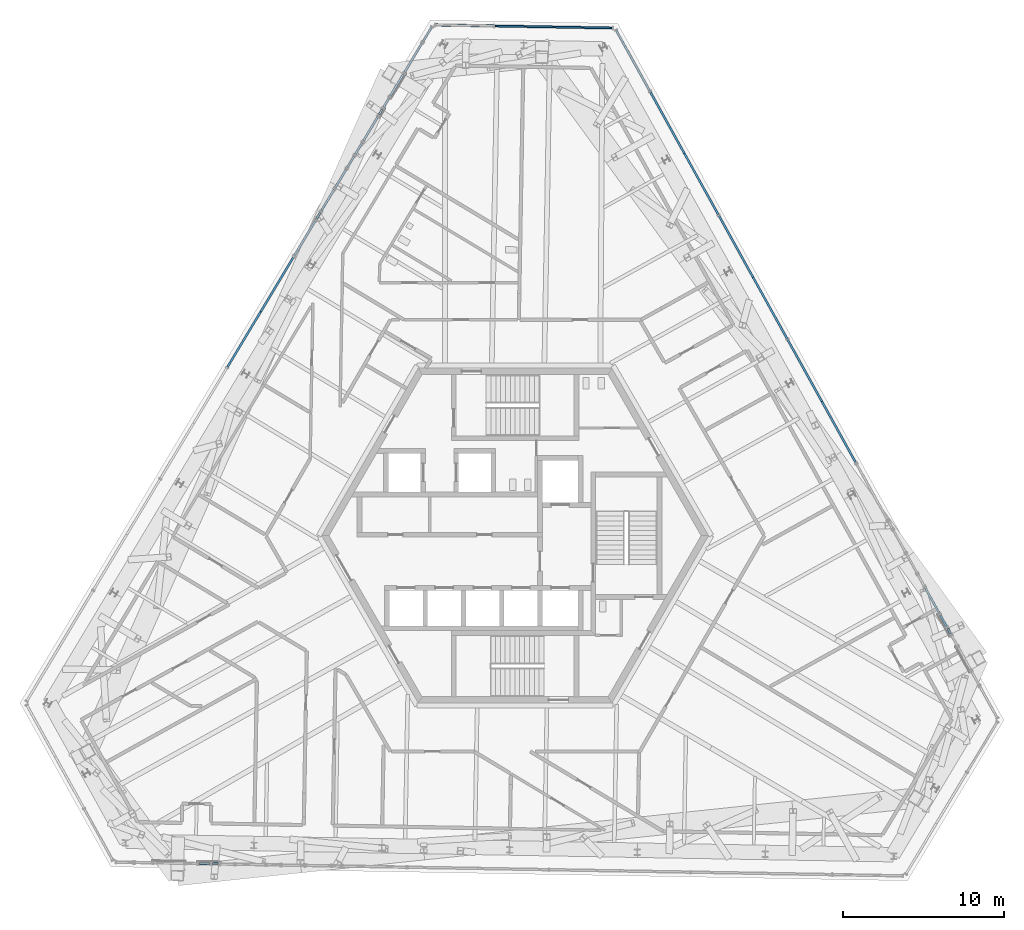
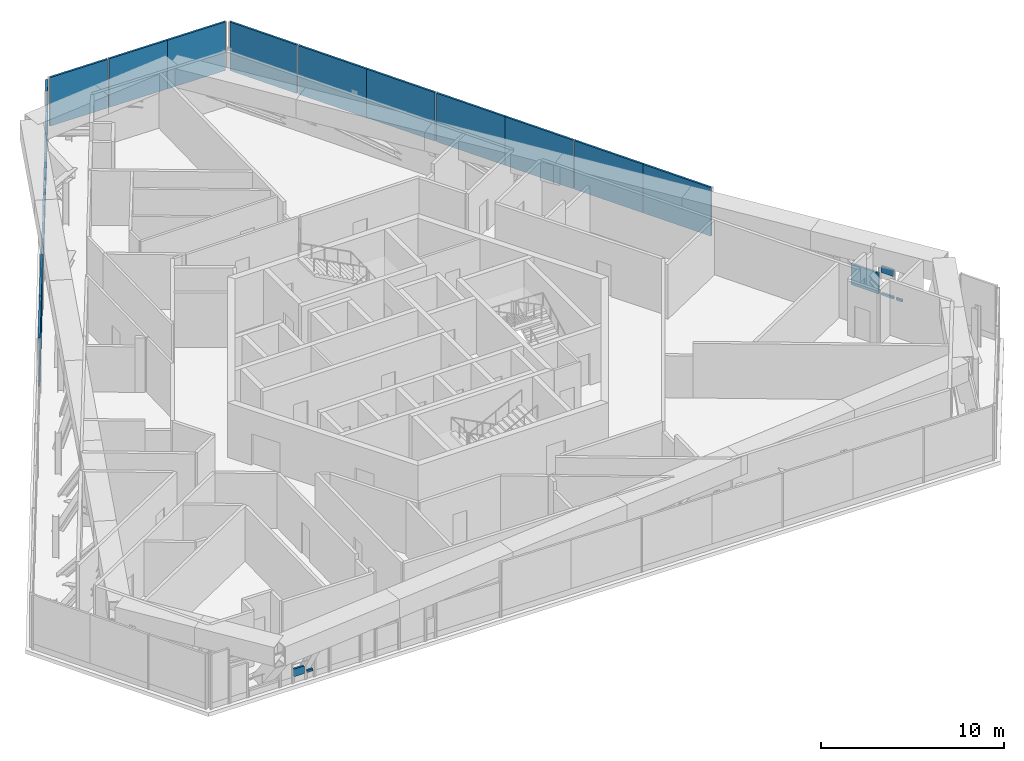
# One storey, part 14 of 28: 30 plates, 21 elements without a shape of their own.
"""IFC4 building model written with IfcOpenShell, lengths in metres."""

import ifcopenshell
import ifcopenshell.guid

model = None  # the IFC model being written
_history = None  # IfcOwnerHistory: only IFC2X3 demands one
_inside = {}  # id of a spatial element -> (the spatial element, [elements in it])
_under = {}  # id of a project, library or spatial element -> (it, [spatial elements below it])
_declared = {}  # id of a project -> (the project, [libraries it declares])
_typed = {}  # id of a type object -> (the type object, [elements of that type])
_made_of = {}  # id of a material, layer set ... -> (it, [elements and type objects made of it])


def new_model(schema):
    """Start an empty IFC model of exactly this schema.

    Asked for "IFC4X3", IfcOpenShell would pick the latest addendum, in which some entities
    have other attributes; the version numbers below select the first issue.
    IFC2X3 requires an IfcOwnerHistory on every rooted entity: one is made here for all.
    """
    global model, _history
    if schema == "IFC4X3":
        model = ifcopenshell.file(schema_version=(4, 3, 0, 0))
    else:
        model = ifcopenshell.file(schema=schema)
    _inside.clear()
    _under.clear()
    _declared.clear()
    _typed.clear()
    _made_of.clear()
    _history = None
    if model.schema == "IFC2X3":
        org = make("IfcOrganization", Name="unknown")
        user = make(
            "IfcPersonAndOrganization",
            ThePerson=make("IfcPerson", FamilyName="unknown"),
            TheOrganization=org,
        )
        app = make(
            "IfcApplication",
            ApplicationDeveloper=org,
            Version="unknown",
            ApplicationFullName="unknown",
            ApplicationIdentifier="unknown",
        )
        _history = make(
            "IfcOwnerHistory",
            OwningUser=user,
            OwningApplication=app,
            ChangeAction="ADDED",
            CreationDate=0,
        )
    return model


def make(cls, **values):
    """One entity of the class cls with the attributes given. An attribute that is None is left unset."""
    return model.create_entity(
        cls, **{name: value for name, value in values.items() if value is not None}
    )


def rooted(cls, **values):
    """An entity with a GlobalId (a new one), such as an element, a storey or a relation."""
    return make(cls, GlobalId=ifcopenshell.guid.new(), OwnerHistory=_history, **values)


def si_unit(unit_type, name, prefix=None):
    """IfcSIUnit, for example si_unit("LENGTHUNIT", "METRE", prefix="MILLI")."""
    return make("IfcSIUnit", UnitType=unit_type, Prefix=prefix, Name=name)


def assignment(units):
    """IfcUnitAssignment: the units of a project."""
    return None if units is None else make("IfcUnitAssignment", Units=units)


def point(xyz):
    """IfcCartesianPoint."""
    return None if xyz is None else make("IfcCartesianPoint", Coordinates=xyz)


def direction(xyz):
    """IfcDirection."""
    return None if xyz is None else make("IfcDirection", DirectionRatios=xyz)


def frame(location, z_axis=None, x_axis=None):
    """IfcAxis2Placement3D, a coordinate frame: its origin and axes. An axis left out is left unset."""
    return make(
        "IfcAxis2Placement3D",
        Location=point(location),
        Axis=direction(z_axis),
        RefDirection=direction(x_axis),
    )


def frame_2d(location, x_axis=None):
    """IfcAxis2Placement2D, a coordinate frame in the plane: its origin and x axis."""
    return make(
        "IfcAxis2Placement2D", Location=point(location), RefDirection=direction(x_axis)
    )


def origin():
    """The frame at (0, 0, 0) with its axes left unset."""
    return frame((0.0, 0.0, 0.0))


def origin_2d():
    """The frame at (0, 0) in the plane with its x axis left unset."""
    return frame_2d((0.0, 0.0))


def place(relative_to, where):
    """IfcLocalPlacement: puts the frame where relative to a parent placement (None: the world)."""
    return make(
        "IfcLocalPlacement", PlacementRelTo=relative_to, RelativePlacement=where
    )


def context(
    kind, dimensions, precision=None, world=None, true_north=None, identifier=None
):
    """IfcGeometricRepresentationContext, for example the 3D "Model" context."""
    return make(
        "IfcGeometricRepresentationContext",
        ContextIdentifier=identifier,
        ContextType=kind,
        CoordinateSpaceDimension=dimensions,
        Precision=precision,
        WorldCoordinateSystem=world,
        TrueNorth=true_north,
    )


def subcontext(parent, identifier, kind, view, scale=None):
    """IfcGeometricRepresentationSubContext, for example "Body" below "Model"."""
    return make(
        "IfcGeometricRepresentationSubContext",
        ContextIdentifier=identifier,
        ContextType=kind,
        ParentContext=parent,
        TargetScale=scale,
        TargetView=view,
    )


def project(units=None, contexts=None):
    """IfcProject with its units and contexts."""
    return rooted(
        "IfcProject",
        Name="project",
        RepresentationContexts=contexts,
        UnitsInContext=assignment(units),
    )


def spatial(cls, under=None, at=None, **own):
    """A site, building, storey or space (cls), placed at a placement, below another one or the project."""
    s = rooted(cls, ObjectPlacement=at, **own)
    if under is not None:
        _under.setdefault(under.id(), (under, []))[1].append(s)
    return s


def profile(cls, at=None, kind="AREA", **sizes):
    """A parametric profile (cls). Its sizes go by their IFC names, for example OverallWidth=200.0."""
    return make(cls, ProfileType=kind, Position=at, **sizes)


def rectangle(**sizes):
    """IfcRectangleProfileDef."""
    return profile("IfcRectangleProfileDef", **sizes)


def extrude(swept, where, along, depth):
    """IfcExtrudedAreaSolid: the profile swept, set in the frame where, extruded along a direction by depth."""
    return make(
        "IfcExtrudedAreaSolid",
        SweptArea=swept,
        Position=where,
        ExtrudedDirection=direction(along),
        Depth=depth,
    )


def shape(context_of_items, identifier, shape_type, items):
    """IfcShapeRepresentation: the items that make up one representation, for example the "Body"."""
    return make(
        "IfcShapeRepresentation",
        ContextOfItems=context_of_items,
        RepresentationIdentifier=identifier,
        RepresentationType=shape_type,
        Items=items,
    )


def source(mapping_origin, context_of_items, identifier, shape_type, items):
    """IfcRepresentationMap: a shape defined once, which mapped items show again and again."""
    return make(
        "IfcRepresentationMap",
        MappingOrigin=mapping_origin,
        MappedRepresentation=shape(context_of_items, identifier, shape_type, items),
    )


def transform(
    local_origin,
    x_axis=None,
    y_axis=None,
    z_axis=None,
    scale=None,
    scale2=None,
    scale3=None,
    uniform=True,
):
    """IfcCartesianTransformationOperator3D, or its non-uniform kind. x_axis, y_axis, z_axis: its Axis1, 2, 3."""
    if uniform:
        return make(
            "IfcCartesianTransformationOperator3D",
            Axis1=direction(x_axis),
            Axis2=direction(y_axis),
            LocalOrigin=point(local_origin),
            Scale=scale,
            Axis3=direction(z_axis),
        )
    return make(
        "IfcCartesianTransformationOperator3DnonUniform",
        Axis1=direction(x_axis),
        Axis2=direction(y_axis),
        LocalOrigin=point(local_origin),
        Scale=scale,
        Axis3=direction(z_axis),
        Scale2=scale2,
        Scale3=scale3,
    )


def mapped(mapping_source, mapping_target):
    """IfcMappedItem: shows the shape of a source again, moved by a transform."""
    return make(
        "IfcMappedItem", MappingSource=mapping_source, MappingTarget=mapping_target
    )


def material(Name=None, Category=None):
    """IfcMaterial."""
    return make("IfcMaterial", Name=Name, Category=Category)


def layer(
    of_material, thickness, ventilated=None, Name=None, Category=None, Priority=None
):
    """IfcMaterialLayer: one layer of a wall or slab, of a material (None: an air gap)."""
    return make(
        "IfcMaterialLayer",
        Material=of_material,
        LayerThickness=thickness,
        IsVentilated=ventilated,
        Name=Name,
        Category=Category,
        Priority=Priority,
    )


def layer_set(layers, Name=None):
    """IfcMaterialLayerSet."""
    return make("IfcMaterialLayerSet", MaterialLayers=layers, LayerSetName=Name)


def made_of(thing, what):
    """Note that an element or type object is made of a material, layer set ...; save() writes the relation."""
    if what is not None:
        _made_of.setdefault(what.id(), (what, []))[1].append(thing)
    return thing


def type_object(cls, material=None, **own):
    """A type object (cls), such as IfcWallType, which elements share."""
    return made_of(rooted(cls, **own), material)


def element(
    cls,
    number,
    at=None,
    inside=None,
    cuts=None,
    type_object=None,
    material=None,
    context=None,
    identifier="Body",
    shape_type=None,
    held_by="IfcProductDefinitionShape",
    body=None,
    shapes=None,
    **own,
):
    """One element of the class cls, such as IfcWall. Its Tag is "e" and its number.

    at: its placement. inside: the storey or other place that contains it. cuts: it is an
    opening in that element (IfcRelVoidsElement). A single representation is given by context,
    identifier, shape_type and body (its items); several are given by shapes. held_by: the class
    of the entity that holds the representations. save() writes the other relations.
    """
    e = rooted(cls, Tag="e%d" % number, ObjectPlacement=at, **own)
    if body is not None:
        shapes = [shape(context, identifier, shape_type, body)]
    if shapes is not None:
        e.Representation = make(held_by, Representations=shapes)
    if inside is not None:
        _inside.setdefault(inside.id(), (inside, []))[1].append(e)
    if cuts is not None:
        rooted(
            "IfcRelVoidsElement", RelatingBuildingElement=cuts, RelatedOpeningElement=e
        )
    if type_object is not None:
        _typed.setdefault(type_object.id(), (type_object, []))[1].append(e)
    return made_of(e, material)


def aggregate(whole, parts):
    """IfcRelAggregates: a whole, such as a stair, and the parts it consists of."""
    return rooted("IfcRelAggregates", RelatingObject=whole, RelatedObjects=parts)


def save(model, path):
    """Write the relations noted so far, then the file.

    IfcRelAggregates (storeys below a building ...), IfcRelContainedInSpatialStructure (elements
    in a storey), IfcRelDefinesByType, IfcRelAssociatesMaterial and IfcRelDeclares: one each for
    every whole, place, type object, material and project.
    """
    for whole, parts in _under.values():
        aggregate(whole, parts)
    for where, things in _inside.values():
        rooted(
            "IfcRelContainedInSpatialStructure",
            RelatedElements=things,
            RelatingStructure=where,
        )
    for kind, things in _typed.values():
        rooted("IfcRelDefinesByType", RelatedObjects=things, RelatingType=kind)
    for what, things in _made_of.values():
        rooted("IfcRelAssociatesMaterial", RelatedObjects=things, RelatingMaterial=what)
    for by, libraries in _declared.values():
        rooted("IfcRelDeclares", RelatingContext=by, RelatedDefinitions=libraries)
    model.write(path)


model = new_model("IFC4")

# Units and contexts
model_context = context("Model", 3, precision=1e-05, world=origin(), true_north=direction((0.0, 1.0)))
body_context = subcontext(model_context, "Body", "Model", "MODEL_VIEW")
ifc_project = project(units=[si_unit("LENGTHUNIT", "METRE"), si_unit("AREAUNIT", "SQUARE_METRE"), si_unit("VOLUMEUNIT", "CUBIC_METRE"), si_unit("PLANEANGLEUNIT", "RADIAN"), si_unit("MASSUNIT", "GRAM", prefix="KILO")], contexts=[model_context])

# Site, building, storey
site_placement = place(None, origin())
site = spatial("IfcSite", under=ifc_project, at=site_placement, CompositionType="ELEMENT")
building_placement = place(site_placement, origin())
building = spatial("IfcBuilding", under=site, at=building_placement, Name="Triune Harvest Tower", CompositionType="ELEMENT")
storey_placement = place(building_placement, frame((0.0, 0.0, 215.89990234375)))
storey = spatial("IfcBuildingStorey", under=building, at=storey_placement, Name="L56", CompositionType="ELEMENT", Elevation=215.89990234375)

# Curtain wall, plate
ifc_material_1 = material(Name="Aluminium bronze anodised", Category="aluminium")
curtain_wall_type = type_object("IfcCurtainWallType", Name="CW-5 Plant louvre wall", PredefinedType="NOTDEFINED", material=ifc_material_1)
curtain_wall_1_placement = place(storey_placement, origin())
curtain_wall_1 = element("IfcCurtainWall", 1, at=curtain_wall_1_placement, inside=storey, type_object=curtain_wall_type, Name="CW-5 B5-F1 L56 run 401")
ifc_material_2 = material(Name="Aluminium bronze anodised", Category="aluminium")
ifc_layer = layer(ifc_material_2, 0.1201171875)
ifc_layer_set = layer_set([ifc_layer], Name="Aluminium bronze anodised")
plate_type = type_object("IfcPlateType", Name="GL-5 panel 120", PredefinedType="CURTAIN_PANEL", material=ifc_layer_set)
plate_1_placement = place(storey_placement, frame((26.92333984375, -5.92138671875, 0.39990234375), z_axis=(0.0, 0.0, 1.0), x_axis=(-0.484746233774, 0.874654839832, 0.0)))
plate_1 = element("IfcPlate", 2, at=plate_1_placement, type_object=plate_type, Name="CW-5 panel B5-F1 401.1", PredefinedType="CURTAIN_PANEL", context=body_context, shape_type="SweptSolid", body=[
    extrude(rectangle(XDim=0.3798828125, YDim=0.1201171875, at=origin_2d()), origin(), (0.0, 0.0, 1.0), 0.144287109375),
])
aggregate(curtain_wall_1, [plate_1])

curtain_wall_2_placement = place(storey_placement, origin())
curtain_wall_2 = element("IfcCurtainWall", 3, at=curtain_wall_2_placement, inside=storey, type_object=curtain_wall_type, Name="CW-5 B5-F1 L56 run 501")
plate_2_placement = place(storey_placement, frame((26.564697265625, -5.2744140625, 0.39990234375), z_axis=(0.0, 0.0, 1.0), x_axis=(-0.484811678256, 0.874618566363, 0.0)))
plate_2 = element("IfcPlate", 4, at=plate_2_placement, type_object=plate_type, Name="CW-5 panel B5-F1 501.1", PredefinedType="CURTAIN_PANEL", context=body_context, shape_type="SweptSolid", body=[
    extrude(rectangle(XDim=0.780029296875, YDim=0.1201171875, at=origin_2d()), origin(), (0.0, 0.0, 1.0), 0.144287109375),
])
aggregate(curtain_wall_2, [plate_2])

curtain_wall_3_placement = place(storey_placement, origin())
curtain_wall_3 = element("IfcCurtainWall", 5, at=curtain_wall_3_placement, inside=storey, type_object=curtain_wall_type, Name="CW-5 B5-F1 L56 run 601")
plate_3_placement = place(storey_placement, frame((26.564697265625, -5.2744140625, 1.90478515625), z_axis=(0.0, 0.0, 1.0), x_axis=(-0.484811678256, 0.874618566363, 0.0)))
plate_3 = element("IfcPlate", 6, at=plate_3_placement, type_object=plate_type, Name="CW-5 panel B5-F1 601.1", PredefinedType="CURTAIN_PANEL", context=body_context, shape_type="SweptSolid", body=[
    extrude(rectangle(XDim=0.780029296875, YDim=0.1201171875, at=origin_2d()), origin(), (0.0, 0.0, 1.0), 0.425537109375),
])
aggregate(curtain_wall_3, [plate_3])

curtain_wall_4_placement = place(storey_placement, origin())
curtain_wall_4 = element("IfcCurtainWall", 7, at=curtain_wall_4_placement, inside=storey, type_object=curtain_wall_type, Name="CW-5 B5-F1 L56 run 701")
plate_4_placement = place(storey_placement, frame((25.8701171875, -4.02099609375, 0.400146484375), z_axis=(0.0, 0.0, 1.0), x_axis=(-0.484791963847, 0.874629494008, 0.0)))
plate_4 = element("IfcPlate", 8, at=plate_4_placement, type_object=plate_type, Name="CW-5 panel B5-F1 701.1", PredefinedType="CURTAIN_PANEL", context=body_context, shape_type="SweptSolid", body=[
    extrude(rectangle(XDim=1.76611328125, YDim=0.1201171875, at=origin_2d()), origin(), (0.0, 0.0, 1.0), 1.3935546875),
])
aggregate(curtain_wall_4, [plate_4])

# Curtain wall, plates
curtain_wall_5_placement = place(storey_placement, origin())
curtain_wall_5 = element("IfcCurtainWall", 9, at=curtain_wall_5_placement, inside=storey, type_object=curtain_wall_type, Name="CW-5 B5-F1 L56 run 1301")
plate_5_placement = place(storey_placement, frame((20.070556640625, 6.441650390625, 0.39990234375), z_axis=(0.0, 0.0, 1.0), x_axis=(-0.484807953064, 0.874620631272, 0.0)))
plate_5 = element("IfcPlate", 10, at=plate_5_placement, type_object=plate_type, Name="CW-5 panel B5-F1 1301.1", PredefinedType="CURTAIN_PANEL", context=body_context, shape_type="SweptSolid", body=[
    extrude(rectangle(XDim=4.31689453125, YDim=0.1201171875, at=origin_2d()), origin(), (0.0, 0.0, 1.0), 3.239990234375),
])
plate_6_placement = place(storey_placement, frame((7.3095703125, 29.462890625, 0.39990234375), z_axis=(0.0, 0.0, 1.0), x_axis=(-0.484807953064, 0.874620631272, 0.0)))
plate_6 = element("IfcPlate", 11, at=plate_6_placement, type_object=plate_type, Name="CW-5 panel B5-F1 1301.7", PredefinedType="CURTAIN_PANEL", context=body_context, shape_type="SweptSolid", body=[
    extrude(rectangle(XDim=4.27685546875, YDim=0.1201171875, at=origin_2d()), origin(), (0.0, 0.0, 1.0), 3.239990234375),
])

# Curtain wall, plate
curtain_wall_6_placement = place(storey_placement, origin())
curtain_wall_6 = element("IfcCurtainWall", 12, at=curtain_wall_6_placement, inside=storey, type_object=curtain_wall_type, Name="CW-5 B5-F3 L56 run 101")
plate_7_placement = place(storey_placement, frame((-6.31396484375, 29.638671875, 0.39990234375), z_axis=(0.0, 0.0, 1.0), x_axis=(-0.515035669427, -0.857168746058, 0.0)))
plate_7 = element("IfcPlate", 13, at=plate_7_placement, type_object=plate_type, Name="CW-5 panel B5-F3 101.1", PredefinedType="CURTAIN_PANEL", context=body_context, shape_type="SweptSolid", body=[
    extrude(rectangle(XDim=2.072998046875, YDim=0.1201171875, at=origin_2d()), origin(), (0.0, 0.0, 1.0), 1.929931640625),
])
aggregate(curtain_wall_6, [plate_7])

curtain_wall_7_placement = place(storey_placement, origin())
curtain_wall_7 = element("IfcCurtainWall", 14, at=curtain_wall_7_placement, inside=storey, type_object=curtain_wall_type, Name="CW-5 B5-F3 L56 run 201")
plate_8_placement = place(storey_placement, frame((-7.333740234375, 27.94140625, 0.400146484375), z_axis=(0.0, 0.0, 1.0), x_axis=(-0.515057466438, -0.857155648798, 0.0)))
plate_8 = element("IfcPlate", 15, at=plate_8_placement, type_object=plate_type, Name="CW-5 panel B5-F3 201.1", PredefinedType="CURTAIN_PANEL", context=body_context, shape_type="SweptSolid", body=[
    extrude(rectangle(XDim=1.567626953125, YDim=0.1201171875, at=origin_2d()), origin(), (0.0, 0.0, 1.0), 0.13134765625),
])
aggregate(curtain_wall_7, [plate_8])

curtain_wall_8_placement = place(storey_placement, origin())
curtain_wall_8 = element("IfcCurtainWall", 16, at=curtain_wall_8_placement, inside=storey, type_object=curtain_wall_type, Name="CW-5 B5-F3 L56 run 401")
plate_9_placement = place(storey_placement, frame((-8.333740234375, 26.277099609375, 0.400390625), z_axis=(0.0, 0.0, 1.0), x_axis=(-0.514985853974, -0.857198676041, 0.0)))
plate_9 = element("IfcPlate", 17, at=plate_9_placement, type_object=plate_type, Name="CW-5 panel B5-F3 401.1", PredefinedType="CURTAIN_PANEL", context=body_context, shape_type="SweptSolid", body=[
    extrude(rectangle(XDim=0.380126953125, YDim=0.1201171875, at=origin_2d()), origin(), (0.0, 0.0, 1.0), 0.144287109375),
])
aggregate(curtain_wall_8, [plate_9])

curtain_wall_9_placement = place(storey_placement, origin())
curtain_wall_9 = element("IfcCurtainWall", 18, at=curtain_wall_9_placement, inside=storey, type_object=curtain_wall_type, Name="CW-5 B5-F3 L56 run 501")
plate_10_placement = place(storey_placement, frame((-8.956787109375, 25.23974609375, 0.39990234375), z_axis=(0.0, 0.0, 1.0), x_axis=(-0.515035316241, -0.857168958272, 0.0)))
plate_10 = element("IfcPlate", 19, at=plate_10_placement, type_object=plate_type, Name="CW-5 panel B5-F3 501.1", PredefinedType="CURTAIN_PANEL", context=body_context, shape_type="SweptSolid", body=[
    extrude(rectangle(XDim=1.72021484375, YDim=0.1201171875, at=origin_2d()), origin(), (0.0, 0.0, 1.0), 1.929931640625),
])
aggregate(curtain_wall_9, [plate_10])

curtain_wall_10_placement = place(storey_placement, origin())
curtain_wall_10 = element("IfcCurtainWall", 20, at=curtain_wall_10_placement, inside=storey, type_object=curtain_wall_type, Name="CW-5 B5-F3 L56 run 601")
plate_11_placement = place(storey_placement, frame((-9.695068359375, 24.011474609375, 0.39990234375), z_axis=(0.0, 0.0, 1.0), x_axis=(-0.515092313572, -0.857134708491, 0.0)))
plate_11 = element("IfcPlate", 21, at=plate_11_placement, type_object=plate_type, Name="CW-5 panel B5-F3 601.1", PredefinedType="CURTAIN_PANEL", context=body_context, shape_type="SweptSolid", body=[
    extrude(rectangle(XDim=0.825927734375, YDim=0.1201171875, at=origin_2d()), origin(), (0.0, 0.0, 1.0), 1.393798828125),
])
aggregate(curtain_wall_10, [plate_11])

curtain_wall_11_placement = place(storey_placement, origin())
curtain_wall_11 = element("IfcCurtainWall", 22, at=curtain_wall_11_placement, inside=storey, type_object=curtain_wall_type, Name="CW-5 B5-F3 L56 run 1001")
plate_12_placement = place(storey_placement, frame((-12.20849609375, 19.828369140625, 0.400146484375), z_axis=(0.0, 0.0, 1.0), x_axis=(-0.515126898961, -0.857113923564, 0.0)))
plate_12 = element("IfcPlate", 23, at=plate_12_placement, type_object=plate_type, Name="CW-5 panel B5-F3 1001.1", PredefinedType="CURTAIN_PANEL", context=body_context, shape_type="SweptSolid", body=[
    extrude(rectangle(XDim=0.468994140625, YDim=0.1201171875, at=origin_2d()), origin(), (0.0, 0.0, 1.0), 0.9775390625),
])
aggregate(curtain_wall_11, [plate_12])

curtain_wall_12_placement = place(storey_placement, origin())
curtain_wall_12 = element("IfcCurtainWall", 24, at=curtain_wall_12_placement, inside=storey, type_object=curtain_wall_type, Name="CW-5 B5-F3 L56 run 1101")
plate_13_placement = place(storey_placement, frame((-13.0380859375, 18.44775390625, 0.39990234375), z_axis=(0.0, 0.0, 1.0), x_axis=(-0.515028873207, -0.857172829576, 0.0)))
plate_13 = element("IfcPlate", 25, at=plate_13_placement, type_object=plate_type, Name="CW-5 panel B5-F3 1101.1", PredefinedType="CURTAIN_PANEL", context=body_context, shape_type="SweptSolid", body=[
    extrude(rectangle(XDim=2.432373046875, YDim=0.1201171875, at=origin_2d()), origin(), (0.0, 0.0, 1.0), 1.929931640625),
])
aggregate(curtain_wall_12, [plate_13])

curtain_wall_13_placement = place(storey_placement, origin())
curtain_wall_13 = element("IfcCurtainWall", 26, at=curtain_wall_13_placement, inside=storey, type_object=curtain_wall_type, Name="CW-5 B5-F5 L56 run 401")
plate_14_placement = place(storey_placement, frame((-19.263427734375, -20.343994140625, 0.400146484375), z_axis=(0.0, 0.0, 1.0), x_axis=(0.999847586348, -0.017458638966, 0.0)))
plate_14 = element("IfcPlate", 27, at=plate_14_placement, type_object=plate_type, Name="CW-5 panel B5-F5 401.1", PredefinedType="CURTAIN_PANEL", context=body_context, shape_type="SweptSolid", body=[
    extrude(rectangle(XDim=0.647705078125, YDim=0.1201171875, at=origin_2d()), origin(), (0.0, 0.0, 1.0), 0.5078125),
])
aggregate(curtain_wall_13, [plate_14])

curtain_wall_14_placement = place(storey_placement, origin())
curtain_wall_14 = element("IfcCurtainWall", 28, at=curtain_wall_14_placement, inside=storey, type_object=curtain_wall_type, Name="CW-5 B5-F5 L56 run 501")
plate_15_placement = place(storey_placement, frame((-18.58984375, -20.355712890625, 0.400146484375), z_axis=(0.0, 0.0, 1.0), x_axis=(0.999848413267, -0.017411217272, 0.0)))
plate_15 = element("IfcPlate", 29, at=plate_15_placement, type_object=plate_type, Name="CW-5 panel B5-F5 501.1", PredefinedType="CURTAIN_PANEL", context=body_context, shape_type="SweptSolid", body=[
    extrude(rectangle(XDim=0.3798828125, YDim=0.1201171875, at=origin_2d()), origin(), (0.0, 0.0, 1.0), 0.14453125),
])
aggregate(curtain_wall_14, [plate_15])

curtain_wall_15_placement = place(storey_placement, origin())
curtain_wall_15 = element("IfcCurtainWall", 30, at=curtain_wall_15_placement, inside=storey, type_object=curtain_wall_type, Name="CW-5 B5-F3 L56 run 301")
shared_shape_1 = source(origin(), body_context, "Body", "SweptSolid", [
    extrude(rectangle(XDim=0.647705078125, YDim=0.1201171875, at=origin_2d()), origin(), (0.0, 0.0, 1.0), 1.929931640625),
])
plate_16_placement = place(storey_placement, frame((-7.986572265625, 26.854736328125, 0.39990234375), z_axis=(0.0, 0.0, 1.0), x_axis=(-0.514969108007, -0.857208736422, 0.0)))
plate_16 = element("IfcPlate", 31, at=plate_16_placement, type_object=plate_type, Name="CW-5 panel B5-F3 301.1", PredefinedType="CURTAIN_PANEL", context=body_context, shape_type="MappedRepresentation", body=[
    mapped(shared_shape_1, transform((0.0, 0.0, 0.0), scale=1.0)),
])
aggregate(curtain_wall_15, [plate_16])

curtain_wall_16_placement = place(storey_placement, origin())
curtain_wall_16 = element("IfcCurtainWall", 32, at=curtain_wall_16_placement, inside=storey, type_object=curtain_wall_type, Name="CW-5 B5-F3 L56 run 801")
shared_shape_2 = source(origin(), body_context, "Body", "SweptSolid", [
    extrude(rectangle(XDim=1.30908203125, YDim=0.1201171875, at=origin_2d()), origin(), (0.0, 0.0, 1.0), 1.4501953125),
])
plate_17_placement = place(storey_placement, frame((-10.81005859375, 22.15576171875, 0.400146484375), z_axis=(0.0, 0.0, 1.0), x_axis=(-0.515036228602, -0.857168410073, 0.0)))
plate_17 = element("IfcPlate", 33, at=plate_17_placement, type_object=plate_type, Name="CW-5 panel B5-F3 801.1", PredefinedType="CURTAIN_PANEL", context=body_context, shape_type="MappedRepresentation", body=[
    mapped(shared_shape_2, transform((0.0, 0.0, 0.0), scale=1.0)),
])
aggregate(curtain_wall_16, [plate_17])

curtain_wall_17_placement = place(storey_placement, origin())
curtain_wall_17 = element("IfcCurtainWall", 34, at=curtain_wall_17_placement, inside=storey, type_object=curtain_wall_type, Name="CW-5 B5-F3 L56 run 901")
shared_shape_3 = source(origin(), body_context, "Body", "SweptSolid", [
    extrude(rectangle(XDim=1.506103515625, YDim=0.1201171875, at=origin_2d()), origin(), (0.0, 0.0, 1.0), 1.929931640625),
])
plate_18_placement = place(storey_placement, frame((-11.617431640625, 20.81201171875, 0.39990234375), z_axis=(0.0, 0.0, 1.0), x_axis=(-0.515016406937, -0.857180319761, 0.0)))
plate_18 = element("IfcPlate", 35, at=plate_18_placement, type_object=plate_type, Name="CW-5 panel B5-F3 901.1", PredefinedType="CURTAIN_PANEL", context=body_context, shape_type="MappedRepresentation", body=[
    mapped(shared_shape_3, transform((0.0, 0.0, 0.0), scale=1.0)),
])
aggregate(curtain_wall_17, [plate_18])

# Plate
shared_shape_4 = source(origin(), body_context, "Body", "SweptSolid", [
    extrude(rectangle(XDim=4.35693359375, YDim=0.1201171875, at=origin_2d()), origin(), (0.0, 0.0, 1.0), 3.239990234375),
])
plate_19_placement = place(storey_placement, frame((17.968017578125, 10.23486328125, 0.39990234375), z_axis=(0.0, 0.0, 1.0), x_axis=(-0.484807953064, 0.874620631272, 0.0)))
plate_19 = element("IfcPlate", 36, at=plate_19_placement, type_object=plate_type, Name="CW-5 panel B5-F1 1301.2", PredefinedType="CURTAIN_PANEL", context=body_context, shape_type="MappedRepresentation", body=[
    mapped(shared_shape_4, transform((0.0, 0.0, 0.0), scale=1.0)),
])

plate_20_placement = place(storey_placement, frame((15.81689453125, 14.115478515625, 0.39990234375), z_axis=(0.0, 0.0, 1.0), x_axis=(-0.484807953064, 0.874620631272, 0.0)))
plate_20 = element("IfcPlate", 37, at=plate_20_placement, type_object=plate_type, Name="CW-5 panel B5-F1 1301.3", PredefinedType="CURTAIN_PANEL", context=body_context, shape_type="MappedRepresentation", body=[
    mapped(shared_shape_4, transform((0.0, 0.0, 0.0), scale=1.0)),
])

plate_21_placement = place(storey_placement, frame((13.70458984375, 17.926025390625, 0.39990234375), z_axis=(0.0, 0.0, 1.0), x_axis=(-0.484807953064, 0.874620631272, 0.0)))
plate_21 = element("IfcPlate", 38, at=plate_21_placement, type_object=plate_type, Name="CW-5 panel B5-F1 1301.4", PredefinedType="CURTAIN_PANEL", context=body_context, shape_type="MappedRepresentation", body=[
    mapped(shared_shape_4, transform((0.0, 0.0, 0.0), scale=1.0)),
])

plate_22_placement = place(storey_placement, frame((11.553466796875, 21.806640625, 0.39990234375), z_axis=(0.0, 0.0, 1.0), x_axis=(-0.484807953064, 0.874620631272, 0.0)))
plate_22 = element("IfcPlate", 39, at=plate_22_placement, type_object=plate_type, Name="CW-5 panel B5-F1 1301.5", PredefinedType="CURTAIN_PANEL", context=body_context, shape_type="MappedRepresentation", body=[
    mapped(shared_shape_4, transform((0.0, 0.0, 0.0), scale=1.0)),
])

plate_23_placement = place(storey_placement, frame((9.441162109375, 25.6171875, 0.39990234375), z_axis=(0.0, 0.0, 1.0), x_axis=(-0.484807953064, 0.874620631272, 0.0)))
plate_23 = element("IfcPlate", 40, at=plate_23_placement, type_object=plate_type, Name="CW-5 panel B5-F1 1301.6", PredefinedType="CURTAIN_PANEL", context=body_context, shape_type="MappedRepresentation", body=[
    mapped(shared_shape_4, transform((0.0, 0.0, 0.0), scale=1.0)),
])

aggregate(curtain_wall_5, [plate_5, plate_19, plate_20, plate_21, plate_22, plate_23, plate_6])

# Curtain wall, plates
curtain_wall_18_placement = place(storey_placement, origin())
curtain_wall_18 = element("IfcCurtainWall", 41, at=curtain_wall_18_placement, inside=storey, type_object=curtain_wall_type, Name="CW-5 B5-F2 L56 run 1")
shared_shape_5 = source(origin(), body_context, "Body", "SweptSolid", [
    extrude(rectangle(XDim=3.6201171875, YDim=0.1201171875, at=origin_2d()), origin(), (0.0, 0.0, 1.0), 3.239990234375),
])
plate_24_placement = place(storey_placement, frame((4.210693359375, 31.516357421875, 0.39990234375), z_axis=(0.0, 0.0, 1.0), x_axis=(-0.999847801404, 0.017446318452, 0.0)))
plate_24 = element("IfcPlate", 42, at=plate_24_placement, type_object=plate_type, Name="CW-5 panel B5-F2 1.1", PredefinedType="CURTAIN_PANEL", context=body_context, shape_type="MappedRepresentation", body=[
    mapped(shared_shape_5, transform((0.0, 0.0, 0.0), scale=1.0)),
])
shared_shape_6 = source(origin(), body_context, "Body", "SweptSolid", [
    extrude(rectangle(XDim=3.66015625, YDim=0.1201171875, at=origin_2d()), origin(), (0.0, 0.0, 1.0), 3.239990234375),
])
plate_25_placement = place(storey_placement, frame((0.5712890625, 31.579833984375, 0.39990234375), z_axis=(0.0, 0.0, 1.0), x_axis=(-0.999847801404, 0.017446318452, 0.0)))
plate_25 = element("IfcPlate", 43, at=plate_25_placement, type_object=plate_type, Name="CW-5 panel B5-F2 1.2", PredefinedType="CURTAIN_PANEL", context=body_context, shape_type="MappedRepresentation", body=[
    mapped(shared_shape_6, transform((0.0, 0.0, 0.0), scale=1.0)),
])
shared_shape_7 = source(origin(), body_context, "Body", "SweptSolid", [
    extrude(rectangle(XDim=3.580078125, YDim=0.1201171875, at=origin_2d()), origin(), (0.0, 0.0, 1.0), 3.239990234375),
])
plate_26_placement = place(storey_placement, frame((-3.12841796875, 31.64453125, 0.39990234375), z_axis=(0.0, 0.0, 1.0), x_axis=(-0.999847801404, 0.017446318452, 0.0)))
plate_26 = element("IfcPlate", 44, at=plate_26_placement, type_object=plate_type, Name="CW-5 panel B5-F2 1.3", PredefinedType="CURTAIN_PANEL", context=body_context, shape_type="MappedRepresentation", body=[
    mapped(shared_shape_7, transform((0.0, 0.0, 0.0), scale=1.0)),
])
aggregate(curtain_wall_18, [plate_24, plate_25, plate_26])

# Curtain wall, plate
curtain_wall_19_placement = place(storey_placement, origin())
curtain_wall_19 = element("IfcCurtainWall", 45, at=curtain_wall_19_placement, inside=storey, type_object=curtain_wall_type, Name="CW-5 B5-F3 L56 run 1")
shared_shape_8 = source(origin(), body_context, "Body", "SweptSolid", [
    extrude(rectangle(XDim=1.013427734375, YDim=0.1201171875, at=origin_2d()), origin(), (0.0, 0.0, 1.0), 3.239990234375),
])
plate_27_placement = place(storey_placement, frame((-5.436767578125, 31.0986328125, 0.39990234375), z_axis=(0.0, 0.0, 1.0), x_axis=(-0.515009514518, -0.857184460869, 0.0)))
plate_27 = element("IfcPlate", 46, at=plate_27_placement, type_object=plate_type, Name="CW-5 panel B5-F3 1.1", PredefinedType="CURTAIN_PANEL", context=body_context, shape_type="MappedRepresentation", body=[
    mapped(shared_shape_8, transform((0.0, 0.0, 0.0), scale=1.0)),
])
aggregate(curtain_wall_19, [plate_27])

curtain_wall_20_placement = place(storey_placement, origin())
curtain_wall_20 = element("IfcCurtainWall", 47, at=curtain_wall_20_placement, inside=storey, type_object=curtain_wall_type, Name="CW-5 B5-F3 L56 run 701")
shared_shape_9 = source(origin(), body_context, "Body", "SweptSolid", [
    extrude(rectangle(XDim=0.777587890625, YDim=0.1201171875, at=origin_2d()), origin(), (0.0, 0.0, 1.0), 1.929931640625),
])
plate_28_placement = place(storey_placement, frame((-10.1904296875, 23.187255859375, 0.39990234375), z_axis=(0.0, 0.0, 1.0), x_axis=(-0.515028922577, -0.857172799912, 0.0)))
plate_28 = element("IfcPlate", 48, at=plate_28_placement, type_object=plate_type, Name="CW-5 panel B5-F3 701.1", PredefinedType="CURTAIN_PANEL", context=body_context, shape_type="MappedRepresentation", body=[
    mapped(shared_shape_9, transform((0.0, 0.0, 0.0), scale=1.0)),
])
aggregate(curtain_wall_20, [plate_28])

# Curtain wall, plates
curtain_wall_21_placement = place(storey_placement, origin())
curtain_wall_21 = element("IfcCurtainWall", 49, at=curtain_wall_21_placement, inside=storey, type_object=curtain_wall_type, Name="CW-5 B5-F3 L56 run 1201")
shared_shape_10 = source(origin(), body_context, "Body", "SweptSolid", [
    extrude(rectangle(XDim=3.95068359375, YDim=0.1201171875, at=origin_2d()), origin(), (0.0, 0.0, 1.0), 3.239990234375),
])
plate_29_placement = place(storey_placement, frame((-14.76416015625, 15.574951171875, 0.39990234375), z_axis=(0.0, 0.0, 1.0), x_axis=(-0.515034271719, -0.857169585878, 0.0)))
plate_29 = element("IfcPlate", 50, at=plate_29_placement, type_object=plate_type, Name="CW-5 panel B5-F3 1201.1", PredefinedType="CURTAIN_PANEL", context=body_context, shape_type="MappedRepresentation", body=[
    mapped(shared_shape_10, transform((0.0, 0.0, 0.0), scale=1.0)),
])
shared_shape_11 = source(origin(), body_context, "Body", "SweptSolid", [
    extrude(rectangle(XDim=3.99072265625, YDim=0.1201171875, at=origin_2d()), origin(), (0.0, 0.0, 1.0), 3.239990234375),
])
plate_30_placement = place(storey_placement, frame((-16.809326171875, 12.17138671875, 0.39990234375), z_axis=(0.0, 0.0, 1.0), x_axis=(-0.515034271719, -0.857169585878, 0.0)))
plate_30 = element("IfcPlate", 51, at=plate_30_placement, type_object=plate_type, Name="CW-5 panel B5-F3 1201.2", PredefinedType="CURTAIN_PANEL", context=body_context, shape_type="MappedRepresentation", body=[
    mapped(shared_shape_11, transform((0.0, 0.0, 0.0), scale=1.0)),
])
aggregate(curtain_wall_21, [plate_29, plate_30])

save(model, "model.ifc")
